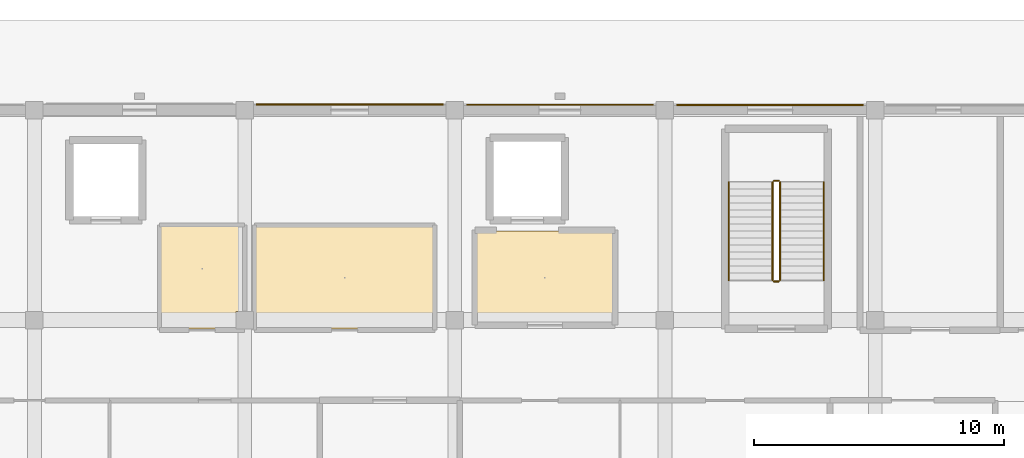
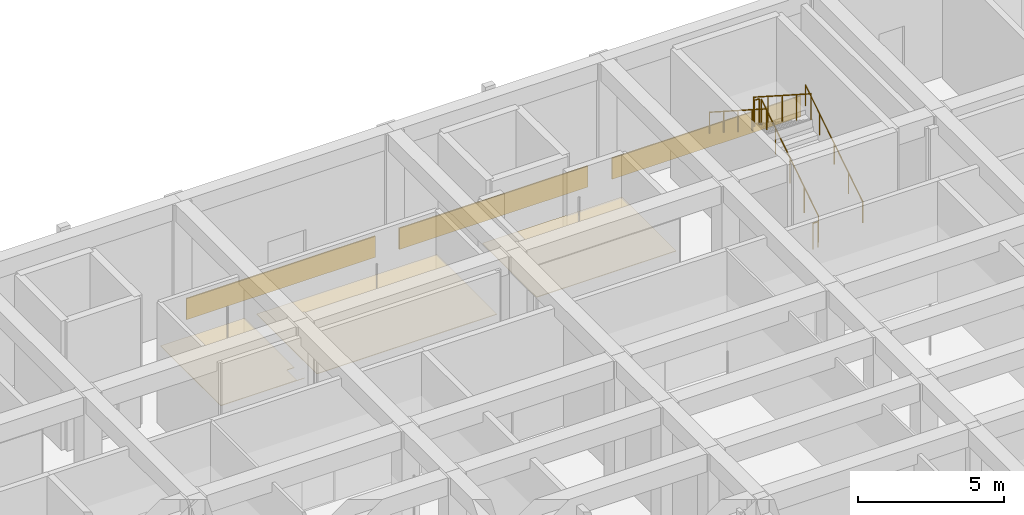
# One storey, part 152 of 167: 6 coverings, 6 railings.
"""IFC4 building model written with IfcOpenShell, lengths in metres."""

import ifcopenshell
import ifcopenshell.guid

model = None  # the IFC model being written
_history = None  # IfcOwnerHistory: only IFC2X3 demands one
_inside = {}  # id of a spatial element -> (the spatial element, [elements in it])
_under = {}  # id of a project, library or spatial element -> (it, [spatial elements below it])
_declared = {}  # id of a project -> (the project, [libraries it declares])
_typed = {}  # id of a type object -> (the type object, [elements of that type])
_made_of = {}  # id of a material, layer set ... -> (it, [elements and type objects made of it])


def new_model(schema):
    """Start an empty IFC model of exactly this schema.

    Asked for "IFC4X3", IfcOpenShell would pick the latest addendum, in which some entities
    have other attributes; the version numbers below select the first issue.
    IFC2X3 requires an IfcOwnerHistory on every rooted entity: one is made here for all.
    """
    global model, _history
    if schema == "IFC4X3":
        model = ifcopenshell.file(schema_version=(4, 3, 0, 0))
    else:
        model = ifcopenshell.file(schema=schema)
    _inside.clear()
    _under.clear()
    _declared.clear()
    _typed.clear()
    _made_of.clear()
    _history = None
    if model.schema == "IFC2X3":
        org = make("IfcOrganization", Name="unknown")
        user = make(
            "IfcPersonAndOrganization",
            ThePerson=make("IfcPerson", FamilyName="unknown"),
            TheOrganization=org,
        )
        app = make(
            "IfcApplication",
            ApplicationDeveloper=org,
            Version="unknown",
            ApplicationFullName="unknown",
            ApplicationIdentifier="unknown",
        )
        _history = make(
            "IfcOwnerHistory",
            OwningUser=user,
            OwningApplication=app,
            ChangeAction="ADDED",
            CreationDate=0,
        )
    return model


def make(cls, **values):
    """One entity of the class cls with the attributes given. An attribute that is None is left unset."""
    return model.create_entity(
        cls, **{name: value for name, value in values.items() if value is not None}
    )


def rooted(cls, **values):
    """An entity with a GlobalId (a new one), such as an element, a storey or a relation."""
    return make(cls, GlobalId=ifcopenshell.guid.new(), OwnerHistory=_history, **values)


def si_unit(unit_type, name, prefix=None):
    """IfcSIUnit, for example si_unit("LENGTHUNIT", "METRE", prefix="MILLI")."""
    return make("IfcSIUnit", UnitType=unit_type, Prefix=prefix, Name=name)


def assignment(units):
    """IfcUnitAssignment: the units of a project."""
    return None if units is None else make("IfcUnitAssignment", Units=units)


def point(xyz):
    """IfcCartesianPoint."""
    return None if xyz is None else make("IfcCartesianPoint", Coordinates=xyz)


def direction(xyz):
    """IfcDirection."""
    return None if xyz is None else make("IfcDirection", DirectionRatios=xyz)


def frame(location, z_axis=None, x_axis=None):
    """IfcAxis2Placement3D, a coordinate frame: its origin and axes. An axis left out is left unset."""
    return make(
        "IfcAxis2Placement3D",
        Location=point(location),
        Axis=direction(z_axis),
        RefDirection=direction(x_axis),
    )


def frame_2d(location, x_axis=None):
    """IfcAxis2Placement2D, a coordinate frame in the plane: its origin and x axis."""
    return make(
        "IfcAxis2Placement2D", Location=point(location), RefDirection=direction(x_axis)
    )


def origin():
    """The frame at (0, 0, 0) with its axes left unset."""
    return frame((0.0, 0.0, 0.0))


def origin_2d():
    """The frame at (0, 0) in the plane with its x axis left unset."""
    return frame_2d((0.0, 0.0))


def place(relative_to, where):
    """IfcLocalPlacement: puts the frame where relative to a parent placement (None: the world)."""
    return make(
        "IfcLocalPlacement", PlacementRelTo=relative_to, RelativePlacement=where
    )


def context(
    kind, dimensions, precision=None, world=None, true_north=None, identifier=None
):
    """IfcGeometricRepresentationContext, for example the 3D "Model" context."""
    return make(
        "IfcGeometricRepresentationContext",
        ContextIdentifier=identifier,
        ContextType=kind,
        CoordinateSpaceDimension=dimensions,
        Precision=precision,
        WorldCoordinateSystem=world,
        TrueNorth=true_north,
    )


def subcontext(parent, identifier, kind, view, scale=None):
    """IfcGeometricRepresentationSubContext, for example "Body" below "Model"."""
    return make(
        "IfcGeometricRepresentationSubContext",
        ContextIdentifier=identifier,
        ContextType=kind,
        ParentContext=parent,
        TargetScale=scale,
        TargetView=view,
    )


def project(units=None, contexts=None):
    """IfcProject with its units and contexts."""
    return rooted(
        "IfcProject",
        Name="project",
        RepresentationContexts=contexts,
        UnitsInContext=assignment(units),
    )


def spatial(cls, under=None, at=None, **own):
    """A site, building, storey or space (cls), placed at a placement, below another one or the project."""
    s = rooted(cls, ObjectPlacement=at, **own)
    if under is not None:
        _under.setdefault(under.id(), (under, []))[1].append(s)
    return s


def polyline(points):
    """IfcPolyline through the points."""
    return make("IfcPolyline", Points=[point(p) for p in points])


def profile(cls, at=None, kind="AREA", **sizes):
    """A parametric profile (cls). Its sizes go by their IFC names, for example OverallWidth=200.0."""
    return make(cls, ProfileType=kind, Position=at, **sizes)


def rectangle(**sizes):
    """IfcRectangleProfileDef."""
    return profile("IfcRectangleProfileDef", **sizes)


def circle(**sizes):
    """IfcCircleProfileDef."""
    return profile("IfcCircleProfileDef", **sizes)


def outline(outer, holes=None, kind="AREA"):
    """IfcArbitraryClosedProfileDef: a profile drawn as a closed curve; with holes, ...WithVoids."""
    if holes is None:
        return make("IfcArbitraryClosedProfileDef", ProfileType=kind, OuterCurve=outer)
    return make(
        "IfcArbitraryProfileDefWithVoids",
        ProfileType=kind,
        OuterCurve=outer,
        InnerCurves=holes,
    )


def extrude(swept, where, along, depth):
    """IfcExtrudedAreaSolid: the profile swept, set in the frame where, extruded along a direction by depth."""
    return make(
        "IfcExtrudedAreaSolid",
        SweptArea=swept,
        Position=where,
        ExtrudedDirection=direction(along),
        Depth=depth,
    )


def shape(context_of_items, identifier, shape_type, items):
    """IfcShapeRepresentation: the items that make up one representation, for example the "Body"."""
    return make(
        "IfcShapeRepresentation",
        ContextOfItems=context_of_items,
        RepresentationIdentifier=identifier,
        RepresentationType=shape_type,
        Items=items,
    )


def material(Name=None, Category=None):
    """IfcMaterial."""
    return make("IfcMaterial", Name=Name, Category=Category)


def layer(
    of_material, thickness, ventilated=None, Name=None, Category=None, Priority=None
):
    """IfcMaterialLayer: one layer of a wall or slab, of a material (None: an air gap)."""
    return make(
        "IfcMaterialLayer",
        Material=of_material,
        LayerThickness=thickness,
        IsVentilated=ventilated,
        Name=Name,
        Category=Category,
        Priority=Priority,
    )


def layer_set(layers, Name=None):
    """IfcMaterialLayerSet."""
    return make("IfcMaterialLayerSet", MaterialLayers=layers, LayerSetName=Name)


def made_of(thing, what):
    """Note that an element or type object is made of a material, layer set ...; save() writes the relation."""
    if what is not None:
        _made_of.setdefault(what.id(), (what, []))[1].append(thing)
    return thing


def type_object(cls, material=None, **own):
    """A type object (cls), such as IfcWallType, which elements share."""
    return made_of(rooted(cls, **own), material)


def element(
    cls,
    number,
    at=None,
    inside=None,
    cuts=None,
    type_object=None,
    material=None,
    context=None,
    identifier="Body",
    shape_type=None,
    held_by="IfcProductDefinitionShape",
    body=None,
    shapes=None,
    **own,
):
    """One element of the class cls, such as IfcWall. Its Tag is "e" and its number.

    at: its placement. inside: the storey or other place that contains it. cuts: it is an
    opening in that element (IfcRelVoidsElement). A single representation is given by context,
    identifier, shape_type and body (its items); several are given by shapes. held_by: the class
    of the entity that holds the representations. save() writes the other relations.
    """
    e = rooted(cls, Tag="e%d" % number, ObjectPlacement=at, **own)
    if body is not None:
        shapes = [shape(context, identifier, shape_type, body)]
    if shapes is not None:
        e.Representation = make(held_by, Representations=shapes)
    if inside is not None:
        _inside.setdefault(inside.id(), (inside, []))[1].append(e)
    if cuts is not None:
        rooted(
            "IfcRelVoidsElement", RelatingBuildingElement=cuts, RelatedOpeningElement=e
        )
    if type_object is not None:
        _typed.setdefault(type_object.id(), (type_object, []))[1].append(e)
    return made_of(e, material)


def aggregate(whole, parts):
    """IfcRelAggregates: a whole, such as a stair, and the parts it consists of."""
    return rooted("IfcRelAggregates", RelatingObject=whole, RelatedObjects=parts)


def save(model, path):
    """Write the relations noted so far, then the file.

    IfcRelAggregates (storeys below a building ...), IfcRelContainedInSpatialStructure (elements
    in a storey), IfcRelDefinesByType, IfcRelAssociatesMaterial and IfcRelDeclares: one each for
    every whole, place, type object, material and project.
    """
    for whole, parts in _under.values():
        aggregate(whole, parts)
    for where, things in _inside.values():
        rooted(
            "IfcRelContainedInSpatialStructure",
            RelatedElements=things,
            RelatingStructure=where,
        )
    for kind, things in _typed.values():
        rooted("IfcRelDefinesByType", RelatedObjects=things, RelatingType=kind)
    for what, things in _made_of.values():
        rooted("IfcRelAssociatesMaterial", RelatedObjects=things, RelatingMaterial=what)
    for by, libraries in _declared.values():
        rooted("IfcRelDeclares", RelatingContext=by, RelatedDefinitions=libraries)
    model.write(path)


model = new_model("IFC4")

# Units and contexts
model_context = context("Model", 3, precision=1e-05, world=origin(), true_north=direction((0.0, 1.0)))
body_context = subcontext(model_context, "Body", "Model", "MODEL_VIEW")
ifc_project = project(units=[si_unit("LENGTHUNIT", "METRE"), si_unit("AREAUNIT", "SQUARE_METRE"), si_unit("VOLUMEUNIT", "CUBIC_METRE"), si_unit("PLANEANGLEUNIT", "RADIAN"), si_unit("MASSUNIT", "GRAM", prefix="KILO")], contexts=[model_context])

# Site, building, storey
site_placement = place(None, origin())
site = spatial("IfcSite", under=ifc_project, at=site_placement, CompositionType="ELEMENT")
building_placement = place(site_placement, origin())
building = spatial("IfcBuilding", under=site, at=building_placement, Name="Varncliffe General Hospital", CompositionType="ELEMENT")
storey_placement = place(building_placement, origin())
storey = spatial("IfcBuildingStorey", under=building, at=storey_placement, Name="L00", CompositionType="ELEMENT", Elevation=0.0)

# Coverings
ifc_material_1 = material(Name="Hygienic antimicrobial acoustic suspended ceiling tile", Category="gypsum")
ifc_layer_1 = layer(ifc_material_1, 0.02490234375)
ifc_layer_set_1 = layer_set([ifc_layer_1], Name="Hygienic antimicrobial acoustic suspended ceiling tile")
covering_type_1 = type_object("IfcCoveringType", Name="Antimicrobial Acoustic Suspended Ceiling CLG44", PredefinedType="CEILING", material=ifc_layer_set_1)
covering_1_placement = place(storey_placement, frame((0.0, 0.0, 3.175048828125)))
element("IfcCovering", 1, at=covering_1_placement, inside=storey, type_object=covering_type_1, Name="L00 Firefighting Lift Lobby LF02 Suspended Ceiling", PredefinedType="CEILING", context=body_context, shape_type="SweptSolid", body=[
    extrude(outline(polyline([(48.360107421875, 116.239990234375), (48.360107421875, 119.9599609375), (42.840087890625, 119.9599609375), (42.840087890625, 116.239990234375), (48.360107421875, 116.239990234375)])), origin(), (0.0, 0.0, 1.0), 0.02490234375),
])
covering_2_placement = place(storey_placement, frame((0.0, 0.0, 3.175048828125)))
element("IfcCovering", 2, at=covering_2_placement, inside=storey, type_object=covering_type_1, Name="L00 Accessible WC L00-NW Suspended Ceiling", PredefinedType="CEILING", context=body_context, shape_type="SweptSolid", body=[
    extrude(outline(polyline([(33.56005859375, 116.0400390625), (30.239990234375, 116.0400390625), (30.239990234375, 120.159912109375), (33.56005859375, 120.159912109375), (33.56005859375, 116.75), (33.25, 116.75), (33.25, 116.050048828125), (33.56005859375, 116.050048828125), (33.56005859375, 116.0400390625)])), origin(), (0.0, 0.0, 1.0), 0.02490234375),
])
covering_3_placement = place(storey_placement, frame((0.0, 0.0, 3.175048828125)))
element("IfcCovering", 3, at=covering_3_placement, inside=storey, type_object=covering_type_1, Name="L00 Staff and Visitor WC L00-NW Suspended Ceiling", PredefinedType="CEILING", context=body_context, shape_type="SweptSolid", body=[
    extrude(outline(polyline([(41.159912109375, 116.0400390625), (41.159912109375, 120.159912109375), (34.0400390625, 120.159912109375), (34.0400390625, 116.0400390625), (41.159912109375, 116.0400390625)])), origin(), (0.0, 0.0, 1.0), 0.02490234375),
])
ifc_material_2 = material(Name="Credit Valley buff limestone ashlar cladding", Category="masonry")
ifc_layer_2 = layer(ifc_material_2, 0.050048828125)
ifc_layer_set_2 = layer_set([ifc_layer_2], Name="Credit Valley buff limestone ashlar cladding")
covering_type_2 = type_object("IfcCoveringType", Name="Credit Valley Limestone Ashlar Plinth Cladding CLD17", PredefinedType="CLADDING", material=ifc_layer_set_2)
for number, where, z_axis, x_axis, name in (
    (4, (37.800048828125, 125.02490234375, 0.010009765625), (0.0, 0.0, 1.0), (1.0, 0.0, 0.0), "L00 Limestone Base Cladding 11"),
    (5, (46.199951171875, 125.014892578125, 0.010009765625), (0.0, 0.0, 1.0), (1.0, 0.0, 0.0), "L00 Limestone Base Cladding 12"),
    (6, (54.60009765625, 125.0, 0.010009765625), (0.0, 0.0, 1.0), (1.0, 0.0, 0.0), "L00 Limestone Base Cladding 13"),
):
    element("IfcCovering", number, at=place(storey_placement, frame(where, z_axis=z_axis, x_axis=x_axis)), inside=storey, type_object=covering_type_2, Name=name, PredefinedType="CLADDING", context=body_context, shape_type="SweptSolid", body=[
        extrude(rectangle(XDim=7.464111328125, YDim=0.050048828125, at=origin_2d()), origin(), (0.0, 0.0, 1.0), 0.8798828125),
    ])

# Railings
ifc_material_3 = material(Name="Powder-coated hospital steel guardrail and handrail", Category="steel")
railing_type_1 = type_object("IfcRailingType", Name="Stair and Ramp Handrail HR46", PredefinedType="HANDRAIL", material=ifc_material_3)
railing_1_placement = place(storey_placement, frame((56.75, 118.0, 0.364013671875)))
element("IfcRailing", 7, at=railing_1_placement, inside=storey, type_object=railing_type_1, Name="L00 ST02 stair handrail 1", PredefinedType="HANDRAIL", context=body_context, shape_type="SweptSolid", body=[
    extrude(circle(Radius=0.02392578125, at=origin_2d()), frame((0.0, 0.0, 0.8759765625), z_axis=(0.0, 0.841171666519, 0.540768182723), x_axis=(-1.0, 0.0, 0.0)), (0.0, 0.0, 1.0), 4.66015625),
    extrude(circle(Radius=0.02099609375, at=origin_2d()), origin(), (0.0, 0.0, 1.0), 0.851806640625),
    extrude(circle(Radius=0.02099609375, at=origin_2d()), frame((0.0, 0.97998046875, 0.6298828125)), (0.0, 0.0, 1.0), 0.851806640625),
    extrude(circle(Radius=0.02099609375, at=origin_2d()), frame((0.0, 1.9599609375, 1.260009765625)), (0.0, 0.0, 1.0), 0.851806640625),
    extrude(circle(Radius=0.02099609375, at=origin_2d()), frame((0.0, 2.93994140625, 1.89013671875)), (0.0, 0.0, 1.0), 0.851806640625),
    extrude(circle(Radius=0.02099609375, at=origin_2d()), frame((0.0, 3.919921875, 2.52001953125)), (0.0, 0.0, 1.0), 0.851806640625),
])
railing_2_placement = place(storey_placement, frame((52.949951171875, 121.919921875, 3.06396484375)))
element("IfcRailing", 8, at=railing_2_placement, inside=storey, type_object=railing_type_1, Name="L00 ST02 stair handrail 2", PredefinedType="HANDRAIL", context=body_context, shape_type="SweptSolid", body=[
    extrude(circle(Radius=0.02392578125, at=origin_2d()), frame((0.0, 0.0, 0.8759765625), z_axis=(0.0, -0.841171666519, 0.540768182723), x_axis=(1.0, 0.0, 0.0)), (0.0, 0.0, 1.0), 4.66015625),
    extrude(circle(Radius=0.02099609375, at=origin_2d()), origin(), (0.0, 0.0, 1.0), 0.851806640625),
    extrude(circle(Radius=0.02099609375, at=origin_2d()), frame((0.0, -0.97998046875, 0.6298828125)), (0.0, 0.0, 1.0), 0.851806640625),
    extrude(circle(Radius=0.02099609375, at=origin_2d()), frame((0.0, -1.9599609375, 1.260009765625)), (0.0, 0.0, 1.0), 0.851806640625),
    extrude(circle(Radius=0.02099609375, at=origin_2d()), frame((0.0, -2.93994140625, 1.89013671875)), (0.0, 0.0, 1.0), 0.851806640625),
    extrude(circle(Radius=0.02099609375, at=origin_2d()), frame((0.0, -3.919921875, 2.52001953125)), (0.0, 0.0, 1.0), 0.851806640625),
])
railing_type_2 = type_object("IfcRailingType", Name="Stairwell Guardrail SG49", PredefinedType="GUARDRAIL", material=ifc_material_3)
railing_3_placement = place(storey_placement, frame((55.0, 118.0, 0.179931640625)))
element("IfcRailing", 9, at=railing_3_placement, inside=storey, type_object=railing_type_2, Name="L00 ST02 stair guard 1", PredefinedType="GUARDRAIL", context=body_context, shape_type="SweptSolid", body=[
    extrude(circle(Radius=0.02392578125, at=origin_2d()), frame((0.0, 0.0, 1.076171875), z_axis=(0.0, 0.841171666519, 0.540768182723), x_axis=(-1.0, 0.0, 0.0)), (0.0, 0.0, 1.0), 4.66015625),
    extrude(circle(Radius=0.02099609375, at=origin_2d()), origin(), (0.0, 0.0, 1.0), 1.052001953125),
    extrude(circle(Radius=0.02099609375, at=origin_2d()), frame((0.0, 0.97998046875, 0.6298828125)), (0.0, 0.0, 1.0), 1.052001953125),
    extrude(circle(Radius=0.02099609375, at=origin_2d()), frame((0.0, 1.9599609375, 1.260009765625)), (0.0, 0.0, 1.0), 1.052001953125),
    extrude(circle(Radius=0.02099609375, at=origin_2d()), frame((0.0, 2.93994140625, 1.89013671875)), (0.0, 0.0, 1.0), 1.052001953125),
    extrude(circle(Radius=0.02099609375, at=origin_2d()), frame((0.0, 3.919921875, 2.52001953125)), (0.0, 0.0, 1.0), 1.052001953125),
])
railing_4_placement = place(storey_placement, frame((54.949951171875, 121.969970703125, 2.699951171875)))
element("IfcRailing", 10, at=railing_4_placement, inside=storey, type_object=railing_type_2, Name="L00 ST02 stair guard 2", PredefinedType="GUARDRAIL", context=body_context, shape_type="SweptSolid", body=[
    extrude(circle(Radius=0.02392578125, at=origin_2d()), frame((0.0, 0.0, 1.076171875), z_axis=(-1.0, 0.0, 0.0), x_axis=(0.0, -1.0, 0.0)), (0.0, 0.0, 1.0), 0.199951171875),
    extrude(circle(Radius=0.02099609375, at=origin_2d()), origin(), (0.0, 0.0, 1.0), 1.052001953125),
    extrude(circle(Radius=0.02099609375, at=origin_2d()), frame((-0.199951171875, 0.0, 0.0)), (0.0, 0.0, 1.0), 1.052001953125),
])
railing_5_placement = place(storey_placement, frame((54.699951171875, 121.919921875, 2.8798828125)))
element("IfcRailing", 11, at=railing_5_placement, inside=storey, type_object=railing_type_2, Name="L00 ST02 stair guard 3", PredefinedType="GUARDRAIL", context=body_context, shape_type="SweptSolid", body=[
    extrude(circle(Radius=0.02392578125, at=origin_2d()), frame((0.0, 0.0, 1.076171875), z_axis=(0.0, -0.841171666519, 0.540768182723), x_axis=(1.0, 0.0, 0.0)), (0.0, 0.0, 1.0), 4.66015625),
    extrude(circle(Radius=0.02099609375, at=origin_2d()), origin(), (0.0, 0.0, 1.0), 1.052001953125),
    extrude(circle(Radius=0.02099609375, at=origin_2d()), frame((0.0, -0.97998046875, 0.6298828125)), (0.0, 0.0, 1.0), 1.052001953125),
    extrude(circle(Radius=0.02099609375, at=origin_2d()), frame((0.0, -1.9599609375, 1.260009765625)), (0.0, 0.0, 1.0), 1.052001953125),
    extrude(circle(Radius=0.02099609375, at=origin_2d()), frame((0.0, -2.93994140625, 1.89013671875)), (0.0, 0.0, 1.0), 1.052001953125),
    extrude(circle(Radius=0.02099609375, at=origin_2d()), frame((0.0, -3.919921875, 2.52001953125)), (0.0, 0.0, 1.0), 1.052001953125),
])
railing_6_placement = place(storey_placement, frame((54.949951171875, 117.949951171875, 0.0)))
element("IfcRailing", 12, at=railing_6_placement, inside=storey, type_object=railing_type_2, Name="L00 ST02 stair guard 4", PredefinedType="GUARDRAIL", context=body_context, shape_type="SweptSolid", body=[
    extrude(circle(Radius=0.02392578125, at=origin_2d()), frame((0.0, 0.0, 1.076171875), z_axis=(-1.0, 0.0, 0.0), x_axis=(0.0, -1.0, 0.0)), (0.0, 0.0, 1.0), 0.199951171875),
    extrude(circle(Radius=0.02099609375, at=origin_2d()), origin(), (0.0, 0.0, 1.0), 1.052001953125),
    extrude(circle(Radius=0.02099609375, at=origin_2d()), frame((-0.199951171875, 0.0, 0.0)), (0.0, 0.0, 1.0), 1.052001953125),
])

save(model, "model.ifc")
